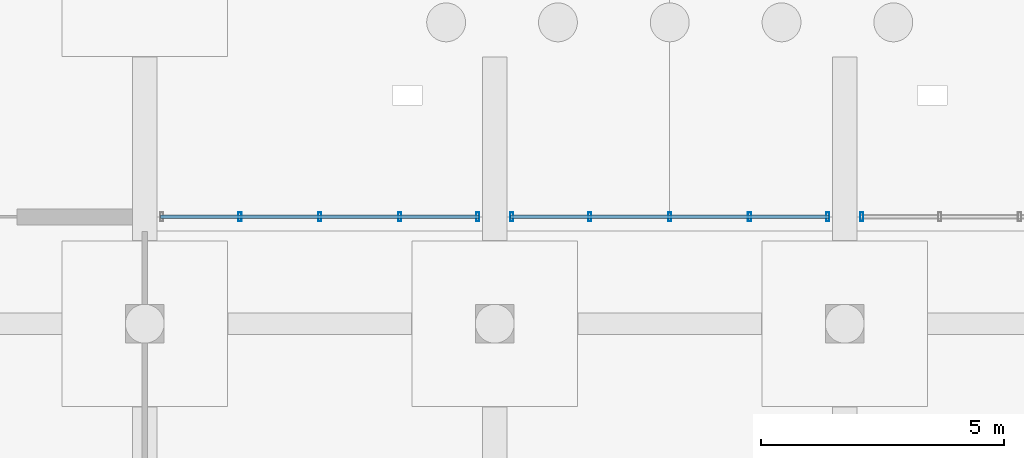
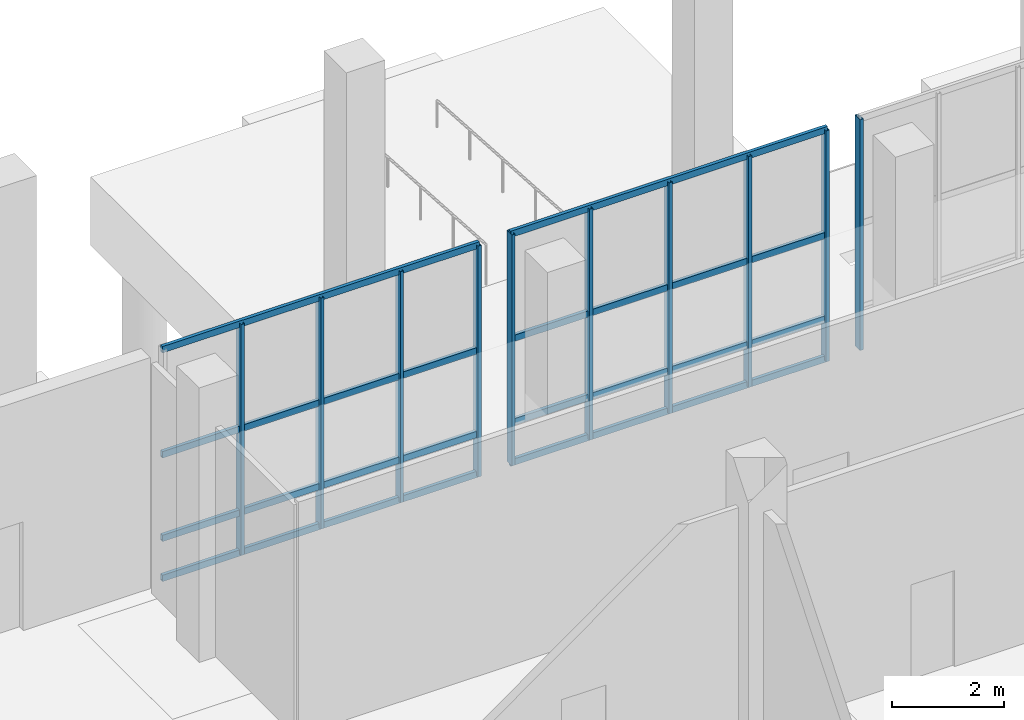
# One storey, part 21 of 45: 18 members, 3 elements without a shape of their own.
"""IFC4 building model written with IfcOpenShell, lengths in metres."""

from ifc_helpers import new_model, si_unit, direction, frame, origin, origin_2d, place, context, subcontext, project, spatial, hollow_rectangle, extrude, material, material_profile, profile_set, type_object, element, aggregate, save


model = new_model("IFC4")

# Units and contexts
model_context = context("Model", 3, precision=1e-05, world=origin(), true_north=direction((0.0, 1.0)))
body_context = subcontext(model_context, "Body", "Model", "MODEL_VIEW")
ifc_project = project(units=[si_unit("LENGTHUNIT", "METRE"), si_unit("AREAUNIT", "SQUARE_METRE"), si_unit("VOLUMEUNIT", "CUBIC_METRE"), si_unit("PLANEANGLEUNIT", "RADIAN"), si_unit("MASSUNIT", "GRAM", prefix="KILO")], contexts=[model_context])

# Site, building, storey
site_placement = place(None, origin())
site = spatial("IfcSite", under=ifc_project, at=site_placement, CompositionType="ELEMENT")
building_placement = place(site_placement, origin())
building = spatial("IfcBuilding", under=site, at=building_placement, Name="Yarey Park Central Fire Station", CompositionType="ELEMENT")
storey_placement = place(building_placement, origin())
storey = spatial("IfcBuildingStorey", under=building, at=storey_placement, Name="L01", CompositionType="ELEMENT", Elevation=0.0)

# Curtain wall, members
ifc_material = material(Name="Anodized Aluminium Frame", Category="aluminium")
curtain_wall_type = type_object("IfcCurtainWallType", Name="ENV_CW_HQ_L01", PredefinedType="NOTDEFINED", material=ifc_material)
curtain_wall_1_placement = place(storey_placement, origin())
curtain_wall_1 = element("IfcCurtainWall", 1, at=curtain_wall_1_placement, inside=storey, type_object=curtain_wall_type, Name="CW_L01_V4_N_5", PredefinedType="NOTDEFINED")
ifc_material_profile_1 = material_profile(ifc_material, hollow_rectangle(XDim=0.070068359375, YDim=0.179931640625, WallThickness=0.00390625, at=origin_2d()), Name="ALU 180x70x4")
ifc_profile_set_1 = profile_set([ifc_material_profile_1], Name="Anodized Aluminium Frame")
member_type_1 = type_object("IfcMemberType", Name="ENV_CW_MULLION", PredefinedType="MULLION", material=ifc_profile_set_1)
member_1_placement = place(storey_placement, frame((150.85009765625, 110.199951171875, 0.0), z_axis=(0.0, 0.0, 1.0), x_axis=(1.0, 0.0, 0.0)))
member_1 = element("IfcMember", 2, at=member_1_placement, type_object=member_type_1, Name="CW_L01_V4_N_5_MUL1", PredefinedType="MULLION", context=body_context, shape_type="SweptSolid", body=[
    extrude(hollow_rectangle(XDim=0.070068359375, YDim=0.179931640625, WallThickness=0.00390625, at=origin_2d()), origin(), (0.0, 0.0, 1.0), 5.050048828125),
])
member_2_placement = place(storey_placement, frame((149.2451171875, 110.199951171875, 0.0), z_axis=(0.0, 0.0, 1.0), x_axis=(1.0, 0.0, 0.0)))
member_2 = element("IfcMember", 3, at=member_2_placement, type_object=member_type_1, Name="CW_L01_V4_N_5_MUL2", PredefinedType="MULLION", context=body_context, shape_type="SweptSolid", body=[
    extrude(hollow_rectangle(XDim=0.070068359375, YDim=0.179931640625, WallThickness=0.00390625, at=origin_2d()), origin(), (0.0, 0.0, 1.0), 5.050048828125),
])
member_3_placement = place(storey_placement, frame((147.60009765625, 110.199951171875, 0.0), z_axis=(0.0, 0.0, 1.0), x_axis=(1.0, 0.0, 0.0)))
member_3 = element("IfcMember", 4, at=member_3_placement, type_object=member_type_1, Name="CW_L01_V4_N_5_MUL3", PredefinedType="MULLION", context=body_context, shape_type="SweptSolid", body=[
    extrude(hollow_rectangle(XDim=0.070068359375, YDim=0.179931640625, WallThickness=0.00390625, at=origin_2d()), origin(), (0.0, 0.0, 1.0), 5.050048828125),
])
member_4_placement = place(storey_placement, frame((145.955078125, 110.199951171875, 0.0), z_axis=(0.0, 0.0, 1.0), x_axis=(1.0, 0.0, 0.0)))
member_4 = element("IfcMember", 5, at=member_4_placement, type_object=member_type_1, Name="CW_L01_V4_N_5_MUL4", PredefinedType="MULLION", context=body_context, shape_type="SweptSolid", body=[
    extrude(hollow_rectangle(XDim=0.070068359375, YDim=0.179931640625, WallThickness=0.00390625, at=origin_2d()), origin(), (0.0, 0.0, 1.0), 5.050048828125),
])

curtain_wall_2_placement = place(storey_placement, origin())
curtain_wall_2 = element("IfcCurtainWall", 6, at=curtain_wall_2_placement, inside=storey, type_object=curtain_wall_type, Name="CW_L01_V4_N_6", PredefinedType="NOTDEFINED")
member_5_placement = place(storey_placement, frame((158.050048828125, 110.199951171875, 0.0), z_axis=(0.0, 0.0, 1.0), x_axis=(1.0, 0.0, 0.0)))
member_5 = element("IfcMember", 7, at=member_5_placement, type_object=member_type_1, Name="CW_L01_V4_N_6_MUL1", PredefinedType="MULLION", context=body_context, shape_type="SweptSolid", body=[
    extrude(hollow_rectangle(XDim=0.070068359375, YDim=0.179931640625, WallThickness=0.00390625, at=origin_2d()), origin(), (0.0, 0.0, 1.0), 5.050048828125),
])
member_6_placement = place(storey_placement, frame((156.445068359375, 110.199951171875, 0.0), z_axis=(0.0, 0.0, 1.0), x_axis=(1.0, 0.0, 0.0)))
member_6 = element("IfcMember", 8, at=member_6_placement, type_object=member_type_1, Name="CW_L01_V4_N_6_MUL2", PredefinedType="MULLION", context=body_context, shape_type="SweptSolid", body=[
    extrude(hollow_rectangle(XDim=0.070068359375, YDim=0.179931640625, WallThickness=0.00390625, at=origin_2d()), origin(), (0.0, 0.0, 1.0), 5.050048828125),
])
member_7_placement = place(storey_placement, frame((154.800048828125, 110.199951171875, 0.0), z_axis=(0.0, 0.0, 1.0), x_axis=(1.0, 0.0, 0.0)))
member_7 = element("IfcMember", 9, at=member_7_placement, type_object=member_type_1, Name="CW_L01_V4_N_6_MUL3", PredefinedType="MULLION", context=body_context, shape_type="SweptSolid", body=[
    extrude(hollow_rectangle(XDim=0.070068359375, YDim=0.179931640625, WallThickness=0.00390625, at=origin_2d()), origin(), (0.0, 0.0, 1.0), 5.050048828125),
])
member_8_placement = place(storey_placement, frame((153.155029296875, 110.199951171875, 0.0), z_axis=(0.0, 0.0, 1.0), x_axis=(1.0, 0.0, 0.0)))
member_8 = element("IfcMember", 10, at=member_8_placement, type_object=member_type_1, Name="CW_L01_V4_N_6_MUL4", PredefinedType="MULLION", context=body_context, shape_type="SweptSolid", body=[
    extrude(hollow_rectangle(XDim=0.070068359375, YDim=0.179931640625, WallThickness=0.00390625, at=origin_2d()), origin(), (0.0, 0.0, 1.0), 5.050048828125),
])
member_9_placement = place(storey_placement, frame((151.550048828125, 110.199951171875, 0.0), z_axis=(0.0, 0.0, 1.0), x_axis=(1.0, 0.0, 0.0)))
member_9 = element("IfcMember", 11, at=member_9_placement, type_object=member_type_1, Name="CW_L01_V4_N_6_MUL5", PredefinedType="MULLION", context=body_context, shape_type="SweptSolid", body=[
    extrude(hollow_rectangle(XDim=0.070068359375, YDim=0.179931640625, WallThickness=0.00390625, at=origin_2d()), origin(), (0.0, 0.0, 1.0), 5.050048828125),
])

# Curtain wall, member
curtain_wall_3_placement = place(storey_placement, origin())
curtain_wall_3 = element("IfcCurtainWall", 12, at=curtain_wall_3_placement, inside=storey, type_object=curtain_wall_type, Name="CW_L01_V4_N_7", PredefinedType="NOTDEFINED")
member_10_placement = place(storey_placement, frame((158.75, 110.199951171875, 0.0), z_axis=(0.0, 0.0, 1.0), x_axis=(1.0, 0.0, 0.0)))
member_10 = element("IfcMember", 13, at=member_10_placement, type_object=member_type_1, Name="CW_L01_V4_N_7_MUL5", PredefinedType="MULLION", context=body_context, shape_type="SweptSolid", body=[
    extrude(hollow_rectangle(XDim=0.070068359375, YDim=0.179931640625, WallThickness=0.00390625, at=origin_2d()), origin(), (0.0, 0.0, 1.0), 5.050048828125),
])
aggregate(curtain_wall_3, [member_10])

# Member
ifc_material_profile_2 = material_profile(ifc_material, hollow_rectangle(XDim=0.070068359375, YDim=0.139892578125, WallThickness=0.00390625, at=origin_2d()), Name="ALU 140x70x4")
ifc_profile_set_2 = profile_set([ifc_material_profile_2], Name="Anodized Aluminium Frame")
member_type_2 = type_object("IfcMemberType", Name="ENV_CW_TRANSOM", PredefinedType="USERDEFINED", material=ifc_profile_set_2)
member_11_placement = place(storey_placement, frame((150.875, 110.199951171875, 0.02490234375), z_axis=(-1.0, 0.0, 0.0), x_axis=(0.0, -1.0, 0.0)))
member_11 = element("IfcMember", 14, at=member_11_placement, type_object=member_type_2, Name="CW_L01_V4_N_5_TRN1", ObjectType="TRANSOM", PredefinedType="USERDEFINED", context=body_context, shape_type="SweptSolid", body=[
    extrude(hollow_rectangle(XDim=0.070068359375, YDim=0.139892578125, WallThickness=0.00390625, at=origin_2d()), origin(), (0.0, 0.0, 1.0), 6.550048828125),
])

member_12_placement = place(storey_placement, frame((150.875, 110.199951171875, 0.89990234375), z_axis=(-1.0, 0.0, 0.0), x_axis=(0.0, -1.0, 0.0)))
member_12 = element("IfcMember", 15, at=member_12_placement, type_object=member_type_2, Name="CW_L01_V4_N_5_TRN2", ObjectType="TRANSOM", PredefinedType="USERDEFINED", context=body_context, shape_type="SweptSolid", body=[
    extrude(hollow_rectangle(XDim=0.070068359375, YDim=0.139892578125, WallThickness=0.00390625, at=origin_2d()), origin(), (0.0, 0.0, 1.0), 6.550048828125),
])

member_13_placement = place(storey_placement, frame((150.875, 110.199951171875, 2.72705078125), z_axis=(-1.0, 0.0, 0.0), x_axis=(0.0, -1.0, 0.0)))
member_13 = element("IfcMember", 16, at=member_13_placement, type_object=member_type_2, Name="CW_L01_V4_N_5_TRN3", ObjectType="TRANSOM", PredefinedType="USERDEFINED", context=body_context, shape_type="SweptSolid", body=[
    extrude(hollow_rectangle(XDim=0.070068359375, YDim=0.139892578125, WallThickness=0.00390625, at=origin_2d()), origin(), (0.0, 0.0, 1.0), 6.550048828125),
])

member_14_placement = place(storey_placement, frame((150.875, 110.199951171875, 5.02490234375), z_axis=(-1.0, 0.0, 0.0), x_axis=(0.0, -1.0, 0.0)))
member_14 = element("IfcMember", 17, at=member_14_placement, type_object=member_type_2, Name="CW_L01_V4_N_5_TRN4", ObjectType="TRANSOM", PredefinedType="USERDEFINED", context=body_context, shape_type="SweptSolid", body=[
    extrude(hollow_rectangle(XDim=0.070068359375, YDim=0.139892578125, WallThickness=0.00390625, at=origin_2d()), origin(), (0.0, 0.0, 1.0), 6.550048828125),
])

aggregate(curtain_wall_1, [member_1, member_2, member_3, member_4, member_11, member_12, member_13, member_14])

member_15_placement = place(storey_placement, frame((158.074951171875, 110.199951171875, 0.02490234375), z_axis=(-1.0, 0.0, 0.0), x_axis=(0.0, -1.0, 0.0)))
member_15 = element("IfcMember", 18, at=member_15_placement, type_object=member_type_2, Name="CW_L01_V4_N_6_TRN1", ObjectType="TRANSOM", PredefinedType="USERDEFINED", context=body_context, shape_type="SweptSolid", body=[
    extrude(hollow_rectangle(XDim=0.070068359375, YDim=0.139892578125, WallThickness=0.00390625, at=origin_2d()), origin(), (0.0, 0.0, 1.0), 6.550048828125),
])

member_16_placement = place(storey_placement, frame((158.074951171875, 110.199951171875, 0.89990234375), z_axis=(-1.0, 0.0, 0.0), x_axis=(0.0, -1.0, 0.0)))
member_16 = element("IfcMember", 19, at=member_16_placement, type_object=member_type_2, Name="CW_L01_V4_N_6_TRN2", ObjectType="TRANSOM", PredefinedType="USERDEFINED", context=body_context, shape_type="SweptSolid", body=[
    extrude(hollow_rectangle(XDim=0.070068359375, YDim=0.139892578125, WallThickness=0.00390625, at=origin_2d()), origin(), (0.0, 0.0, 1.0), 6.550048828125),
])

member_17_placement = place(storey_placement, frame((158.074951171875, 110.199951171875, 2.72705078125), z_axis=(-1.0, 0.0, 0.0), x_axis=(0.0, -1.0, 0.0)))
member_17 = element("IfcMember", 20, at=member_17_placement, type_object=member_type_2, Name="CW_L01_V4_N_6_TRN3", ObjectType="TRANSOM", PredefinedType="USERDEFINED", context=body_context, shape_type="SweptSolid", body=[
    extrude(hollow_rectangle(XDim=0.070068359375, YDim=0.139892578125, WallThickness=0.00390625, at=origin_2d()), origin(), (0.0, 0.0, 1.0), 6.550048828125),
])

member_18_placement = place(storey_placement, frame((158.074951171875, 110.199951171875, 5.02490234375), z_axis=(-1.0, 0.0, 0.0), x_axis=(0.0, -1.0, 0.0)))
member_18 = element("IfcMember", 21, at=member_18_placement, type_object=member_type_2, Name="CW_L01_V4_N_6_TRN4", ObjectType="TRANSOM", PredefinedType="USERDEFINED", context=body_context, shape_type="SweptSolid", body=[
    extrude(hollow_rectangle(XDim=0.070068359375, YDim=0.139892578125, WallThickness=0.00390625, at=origin_2d()), origin(), (0.0, 0.0, 1.0), 6.550048828125),
])

aggregate(curtain_wall_2, [member_5, member_6, member_7, member_8, member_9, member_15, member_16, member_17, member_18])

save(model, "model.ifc")
